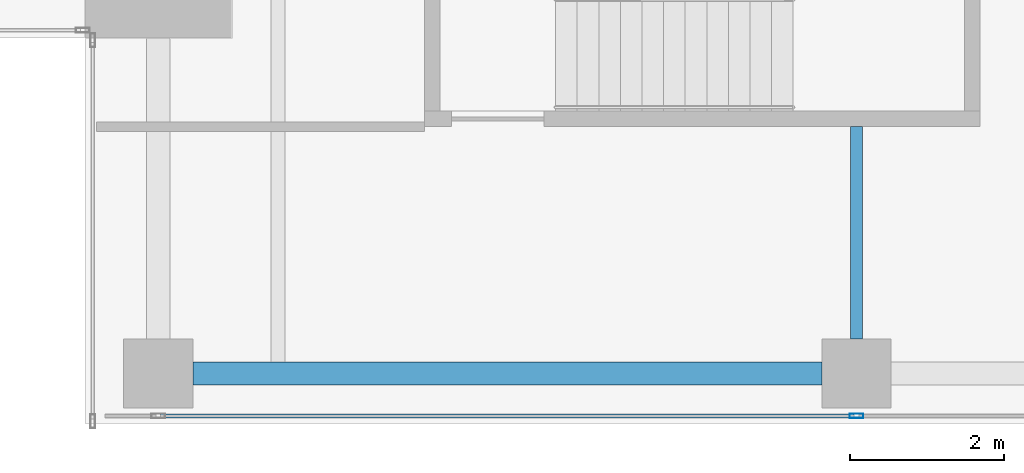
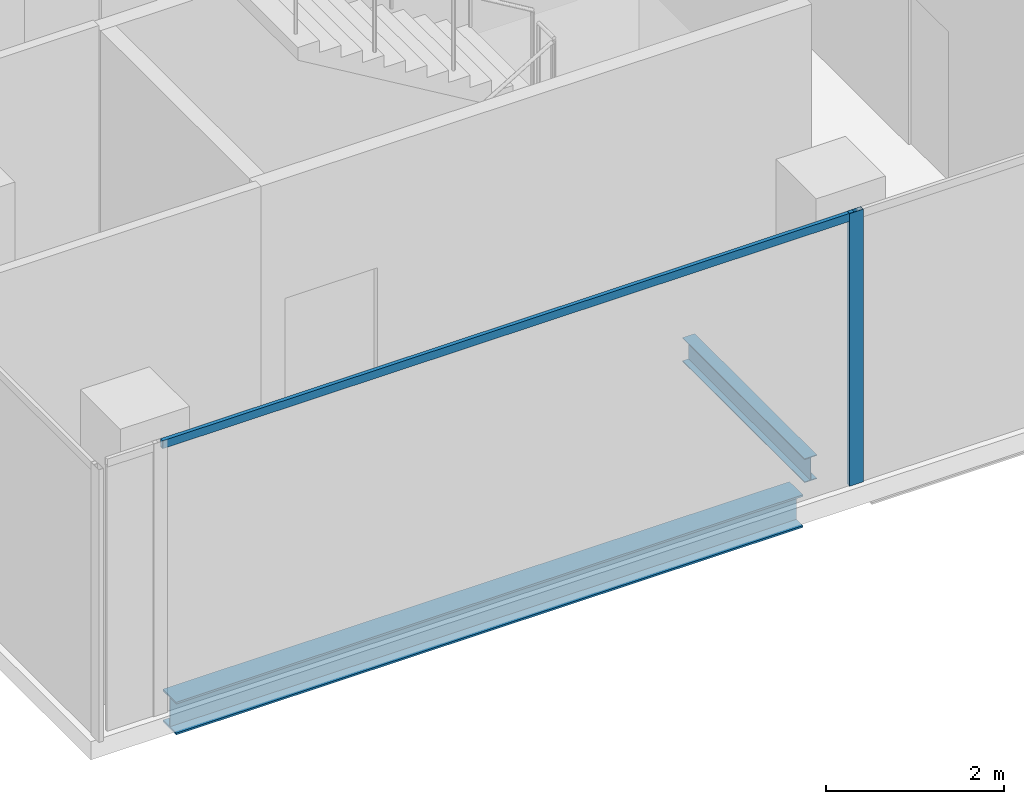
# One storey, part 3 of 35: 2 beams, 2 members, 1 element without a shape of its own.
"""IFC4 building model written with IfcOpenShell, lengths in metres."""

from ifc_helpers import new_model, si_unit, direction, frame, origin, origin_2d, place, context, subcontext, project, spatial, hollow_rectangle, i_section, extrude, source, transform, mapped, material, material_profile, profile_set, type_object, element, aggregate, save


model = new_model("IFC4")

# Units and contexts
model_context = context("Model", 3, precision=1e-05, world=origin(), true_north=direction((0.0, 1.0)))
body_context = subcontext(model_context, "Body", "Model", "MODEL_VIEW")
ifc_project = project(units=[si_unit("LENGTHUNIT", "METRE"), si_unit("AREAUNIT", "SQUARE_METRE"), si_unit("VOLUMEUNIT", "CUBIC_METRE"), si_unit("PLANEANGLEUNIT", "RADIAN"), si_unit("MASSUNIT", "GRAM", prefix="KILO")], contexts=[model_context])

# Site, building, storey
site_placement = place(None, origin())
site = spatial("IfcSite", under=ifc_project, at=site_placement, CompositionType="ELEMENT")
building_placement = place(site_placement, origin())
building = spatial("IfcBuilding", under=site, at=building_placement, Name="Khomas Fold Tower", CompositionType="ELEMENT")
storey_placement = place(building_placement, frame((0.0, 0.0, 270.199951171875)))
storey = spatial("IfcBuildingStorey", under=building, at=storey_placement, Name="L61", CompositionType="ELEMENT", Elevation=270.199951171875)

# Beams
ifc_material_1 = material(Name="Steel S355", Category="steel")
ifc_material_profile_1 = material_profile(ifc_material_1, i_section(OverallWidth=0.159912109375, OverallDepth=0.330078125, WebThickness=0.007568359375, FlangeThickness=0.011474609375, at=origin_2d()), Name="IPE 330")
ifc_profile_set_1 = profile_set([ifc_material_profile_1], Name="Steel S355")
beam_type_1 = type_object("IfcBeamType", Name="IPE 330 beam JB1", PredefinedType="BEAM", material=ifc_profile_set_1)
shared_shape_1 = source(origin(), body_context, "Body", "SweptSolid", [
    extrude(i_section(OverallWidth=0.159912109375, OverallDepth=0.330078125, WebThickness=0.007568359375, FlangeThickness=0.011474609375, at=origin_2d()), origin(), (0.0, 0.0, 1.0), 2.75),
])
beam_1_placement = place(storey_placement, frame((19.5, 5.60009765625, -0.4150390625), z_axis=(0.0, 1.0, 0.0), x_axis=(-1.0, 0.0, 0.0)))
element("IfcBeam", 1, at=beam_1_placement, inside=storey, type_object=beam_type_1, Name="JB1", PredefinedType="BEAM", context=body_context, shape_type="MappedRepresentation", body=[
    mapped(shared_shape_1, transform((0.0, 0.0, 0.0))),
])
ifc_material_2 = material(Name="Steel S355", Category="steel")
ifc_material_profile_2 = material_profile(ifc_material_2, i_section(OverallWidth=0.300048828125, OverallDepth=0.449951171875, WebThickness=0.013916015625, FlangeThickness=0.02587890625, at=origin_2d()), Name="HE 450 B")
ifc_profile_set_2 = profile_set([ifc_material_profile_2], Name="Steel S355")
beam_type_2 = type_object("IfcBeamType", Name="HE 450 B spandrel SB4", PredefinedType="SPANDREL", material=ifc_profile_set_2)
shared_shape_2 = source(origin(), body_context, "Body", "SweptSolid", [
    extrude(i_section(OverallWidth=0.300048828125, OverallDepth=0.449951171875, WebThickness=0.013916015625, FlangeThickness=0.02587890625, at=origin_2d()), origin(), (0.0, 0.0, 1.0), 8.150146484375),
])
beam_2_placement = place(storey_placement, frame((10.89990234375, 5.14990234375, -0.474853515625), z_axis=(1.0, 0.0, 0.0), x_axis=(0.0, 1.0, 0.0)))
element("IfcBeam", 2, at=beam_2_placement, inside=storey, type_object=beam_type_2, Name="SB4", PredefinedType="SPANDREL", context=body_context, shape_type="MappedRepresentation", body=[
    mapped(shared_shape_2, transform((0.0, 0.0, 0.0))),
])

# Curtain wall, members
ifc_material_3 = material(Name="Aluminium framed double glazing", Category="aluminium")
curtain_wall_type = type_object("IfcCurtainWallType", Name="SK-Unitised clear-glass wall, office floors CW2", PredefinedType="NOTDEFINED", material=ifc_material_3)
curtain_wall_placement = place(storey_placement, origin())
curtain_wall = element("IfcCurtainWall", 3, at=curtain_wall_placement, inside=storey, type_object=curtain_wall_type, Name="CW2 run L61 00-0", PredefinedType="NOTDEFINED")
ifc_material_4 = material(Name="Aluminium", Category="aluminium")
ifc_material_profile_3 = material_profile(ifc_material_4, hollow_rectangle(XDim=0.06005859375, YDim=0.179931640625, WallThickness=0.00390625, at=origin_2d()), Name="SK-Unitised clear-glass wall, office floors mullion CW2-M")
ifc_profile_set_3 = profile_set([ifc_material_profile_3], Name="Aluminium")
member_type_1 = type_object("IfcMemberType", Name="SK-Unitised clear-glass wall, office floors mullion CW2-M", PredefinedType="MULLION", material=ifc_profile_set_3)
shared_shape_3 = source(origin(), body_context, "Body", "SweptSolid", [
    extrude(hollow_rectangle(XDim=0.06005859375, YDim=0.179931640625, WallThickness=0.00390625, at=origin_2d()), origin(), (0.0, 0.0, 1.0), 3.75),
])
member_1_placement = place(storey_placement, frame((19.5, 4.60009765625, 0.0), z_axis=(0.0, 0.0, 1.0), x_axis=(0.0, 1.0, 0.0)))
member_1 = element("IfcMember", 4, at=member_1_placement, type_object=member_type_1, Name="CW2 mullion 3", PredefinedType="MULLION", context=body_context, shape_type="MappedRepresentation", body=[
    mapped(shared_shape_3, transform((0.0, 0.0, 0.0))),
])
ifc_material_5 = material(Name="Aluminium", Category="aluminium")
ifc_material_profile_4 = material_profile(ifc_material_5, hollow_rectangle(XDim=0.050048828125, YDim=0.110107421875, WallThickness=0.00390625, at=origin_2d()), Name="SK-Unitised clear-glass wall, office floors transom CW2-T")
ifc_profile_set_4 = profile_set([ifc_material_profile_4], Name="Aluminium")
member_type_2 = type_object("IfcMemberType", Name="SK-Unitised clear-glass wall, office floors transom CW2-T", PredefinedType="USERDEFINED", material=ifc_profile_set_4)
shared_shape_4 = source(origin(), body_context, "Body", "SweptSolid", [
    extrude(hollow_rectangle(XDim=0.050048828125, YDim=0.110107421875, WallThickness=0.00390625, at=origin_2d()), origin(), (0.0, 0.0, 1.0), 8.989990234375),
])
member_2_placement = place(storey_placement, frame((10.47998046875, 4.60009765625, 3.695068359375), z_axis=(1.0, 0.0, 0.0), x_axis=(0.0, 1.0, 0.0)))
member_2 = element("IfcMember", 5, at=member_2_placement, type_object=member_type_2, Name="CW2 transom 2", ObjectType="TRANSOM", PredefinedType="USERDEFINED", context=body_context, shape_type="MappedRepresentation", body=[
    mapped(shared_shape_4, transform((0.0, 0.0, 0.0))),
])
aggregate(curtain_wall, [member_1, member_2])

save(model, "model.ifc")
